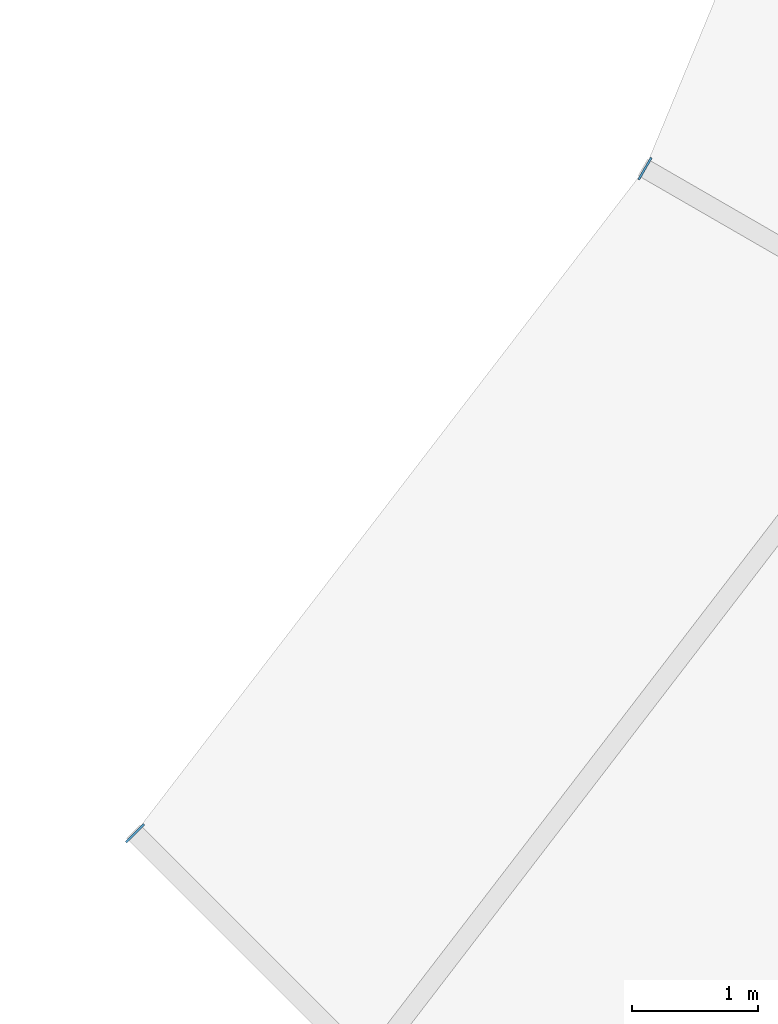
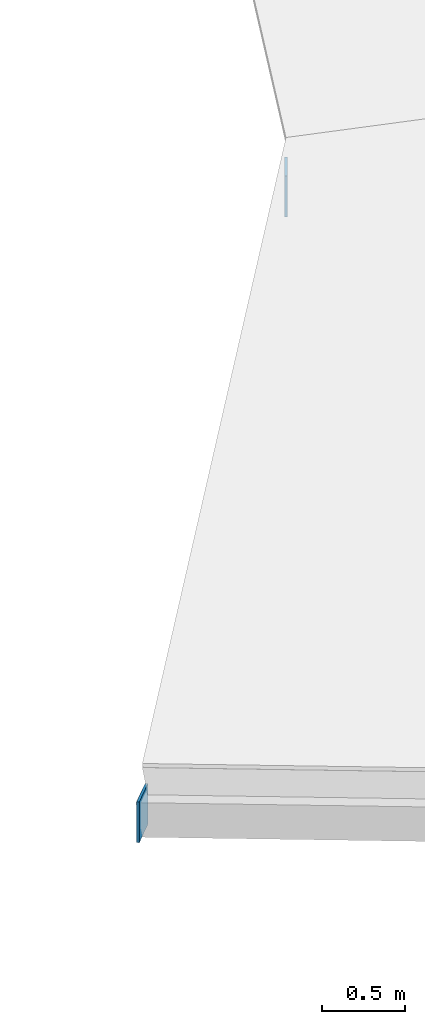
# One storey, part 152 of 200: 2 plates.
"""IFC4 building model written with IfcOpenShell, lengths in metres."""

from ifc_helpers import new_model, si_unit, direction, frame, origin, origin_2d, place, context, subcontext, project, spatial, rectangle, extrude, material, layer, layer_set, type_object, element, save


model = new_model("IFC4")

# Units and contexts
model_context = context("Model", 3, precision=1e-05, world=origin(), true_north=direction((0.0, 1.0)))
body_context = subcontext(model_context, "Body", "Model", "MODEL_VIEW")
ifc_project = project(units=[si_unit("LENGTHUNIT", "METRE"), si_unit("AREAUNIT", "SQUARE_METRE"), si_unit("VOLUMEUNIT", "CUBIC_METRE"), si_unit("PLANEANGLEUNIT", "RADIAN"), si_unit("MASSUNIT", "GRAM", prefix="KILO")], contexts=[model_context])

# Site, building, storey
site_placement = place(None, origin())
site = spatial("IfcSite", under=ifc_project, at=site_placement, CompositionType="ELEMENT")
building_placement = place(site_placement, origin())
building = spatial("IfcBuilding", under=site, at=building_placement, Name="Vondelvale Polytechnic", CompositionType="ELEMENT")
storey_placement = place(building_placement, frame((0.0, 0.0, 13.800048828125)))
storey = spatial("IfcBuildingStorey", under=building, at=storey_placement, Name="L03", CompositionType="ELEMENT", Elevation=13.800048828125)

# Plates
ifc_material = material(Name="Steel Grade 350 (fy = 340 MPa)", Category="steel")
ifc_layer = layer(ifc_material, 0.01611328125)
ifc_layer_set = layer_set([ifc_layer], Name="PLATE-CAP-300x200")
plate_type = type_object("IfcPlateType", Name="PLATE-CAP-300x200", PredefinedType="USERDEFINED", material=ifc_layer_set)
for number, where, z_axis, x_axis, name in (
    (1, (119.96044921875, 54.03955078125, -0.1845703125), (0.0, 0.0, 1.0), (-0.707106781187, 0.707106781187, 0.0), "Ring rafter hollow end cap plate 21I"),
    (2, (123.9970703125, 59.300048828125, -0.1845703125), (0.0, 0.0, 1.0), (-0.866025403784, 0.5, 0.0), "Ring rafter hollow end cap plate 22I"),
):
    element("IfcPlate", number, at=place(storey_placement, frame(where, z_axis=z_axis, x_axis=x_axis)), inside=storey, type_object=plate_type, Name=name, ObjectType="CAP_PLATE", PredefinedType="USERDEFINED", context=body_context, shape_type="SweptSolid", body=[
        extrude(rectangle(XDim=0.01611328125, YDim=0.199951171875, at=origin_2d()), origin(), (0.0, 0.0, 1.0), 0.300048828125),
    ])

save(model, "model.ifc")
